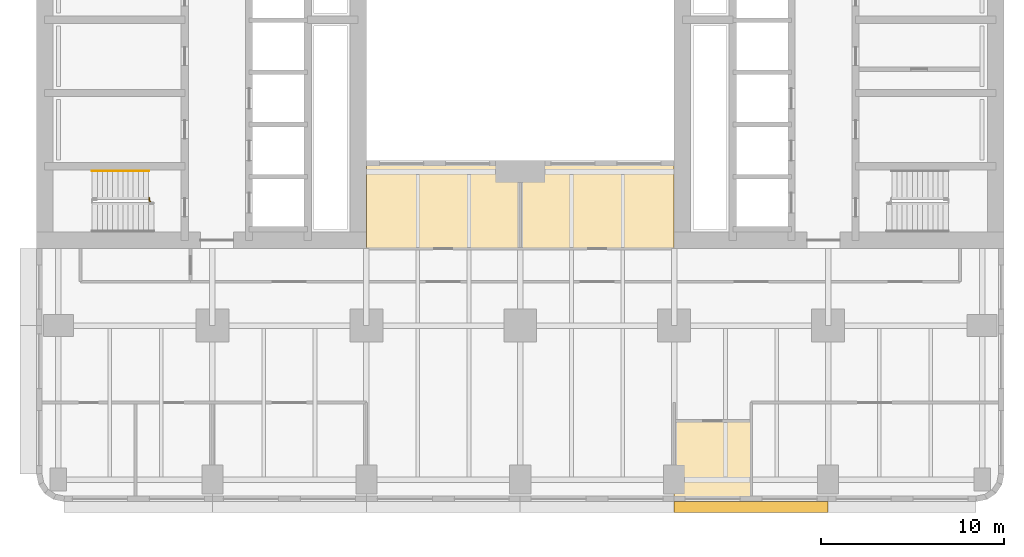
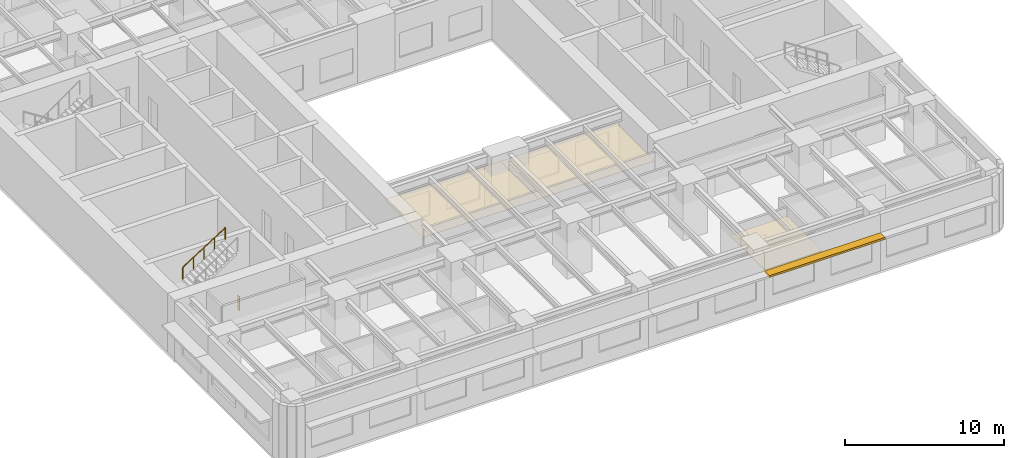
# One storey, part 10 of 14: 3 coverings, 2 railings, 1 shading device.
"""IFC4 building model written with IfcOpenShell, lengths in metres."""

from ifc_helpers import new_model, si_unit, direction, frame, origin, origin_2d, place, context, subcontext, project, spatial, polyline, rectangle, circle, outline, extrude, material, layer, layer_set, type_object, element, save


model = new_model("IFC4")

# Units and contexts
model_context = context("Model", 3, precision=1e-05, world=origin(), true_north=direction((0.0, 1.0)))
body_context = subcontext(model_context, "Body", "Model", "MODEL_VIEW")
ifc_project = project(units=[si_unit("LENGTHUNIT", "METRE"), si_unit("AREAUNIT", "SQUARE_METRE"), si_unit("VOLUMEUNIT", "CUBIC_METRE"), si_unit("PLANEANGLEUNIT", "RADIAN"), si_unit("MASSUNIT", "GRAM", prefix="KILO")], contexts=[model_context])

# Site, building, storey
site_placement = place(None, origin())
site = spatial("IfcSite", under=ifc_project, at=site_placement, CompositionType="ELEMENT")
building_placement = place(site_placement, origin())
building = spatial("IfcBuilding", under=site, at=building_placement, Name="Claustro Exchange Tower", CompositionType="ELEMENT")
storey_placement = place(building_placement, frame((0.0, 0.0, 27.89990234375)))
storey = spatial("IfcBuildingStorey", under=building, at=storey_placement, Name="L06", CompositionType="ELEMENT", Elevation=27.89990234375)

# Coverings
ifc_material_1 = material(Name="Gypsum board ceiling", Category="gypsum board")
ifc_layer_1 = layer(ifc_material_1, 0.02490234375)
ifc_layer_set_1 = layer_set([ifc_layer_1], Name="Gypsum board ceiling")
covering_type = type_object("IfcCoveringType", Name="CL2 plasterboard ceiling", PredefinedType="CEILING", material=ifc_layer_set_1)
covering_1_placement = place(storey_placement, frame((0.0, 0.0, 3.0)))
element("IfcCovering", 1, at=covering_1_placement, inside=storey, type_object=covering_type, Name="Ceiling CL2 L06-01", PredefinedType="CEILING", context=body_context, shape_type="SweptSolid", body=[
    extrude(outline(polyline([(33.60009765625, -1.199951171875), (37.800048828125, -1.199951171875), (37.800048828125, 3.199951171875), (33.60009765625, 3.199951171875), (33.60009765625, -1.199951171875)])), origin(), (0.0, 0.0, 1.0), 0.025146484375),
])
covering_2_placement = place(storey_placement, frame((0.0, 0.0, 3.0)))
element("IfcCovering", 2, at=covering_2_placement, inside=storey, type_object=covering_type, Name="Ceiling CL2 L06-09", PredefinedType="CEILING", context=body_context, shape_type="SweptSolid", body=[
    extrude(outline(polyline([(16.800048828125, 17.39990234375), (16.800048828125, 12.60009765625), (25.199951171875, 12.60009765625), (25.199951171875, 17.39990234375), (16.800048828125, 17.39990234375)])), origin(), (0.0, 0.0, 1.0), 0.025146484375),
])
covering_3_placement = place(storey_placement, frame((0.0, 0.0, 3.0)))
element("IfcCovering", 3, at=covering_3_placement, inside=storey, type_object=covering_type, Name="Ceiling CL2 L06-10", PredefinedType="CEILING", context=body_context, shape_type="SweptSolid", body=[
    extrude(outline(polyline([(33.60009765625, 17.39990234375), (25.199951171875, 17.39990234375), (25.199951171875, 12.60009765625), (33.60009765625, 12.60009765625), (33.60009765625, 17.39990234375)])), origin(), (0.0, 0.0, 1.0), 0.025146484375),
])

# Railings
ifc_material_2 = material(Name="Steel balustrade, painted", Category="steel")
railing_type_1 = type_object("IfcRailingType", Name="GR2 1100 steel stair guard", PredefinedType="GUARDRAIL", material=ifc_material_2)
railing_1_placement = place(storey_placement, frame((5.0, 15.169921875, 0.0)))
element("IfcRailing", 4, at=railing_1_placement, inside=storey, type_object=railing_type_1, Name="Stair guard GR2 STWA L06", PredefinedType="GUARDRAIL", context=body_context, shape_type="SweptSolid", body=[
    extrude(circle(Radius=0.02392578125, at=origin_2d()), frame((0.0, 0.0, 1.076171875), z_axis=(0.0, 1.0, 0.0), x_axis=(-1.0, 0.0, 0.0)), (0.0, 0.0, 1.0), 0.030029296875),
    extrude(circle(Radius=0.02392578125, at=origin_2d()), frame((0.0, 0.030029296875, 1.076171875), z_axis=(-1.0, 0.0, 0.0), x_axis=(0.0, -1.0, 0.0)), (0.0, 0.0, 1.0), 0.054931640625),
    extrude(circle(Radius=0.02392578125, at=origin_2d()), frame((-0.054931640625, 0.030029296875, 1.076171875), z_axis=(0.0, 1.0, 0.0), x_axis=(-1.0, 0.0, 0.0)), (0.0, 0.0, 1.0), 0.179931640625),
    extrude(circle(Radius=0.02099609375, at=origin_2d()), origin(), (0.0, 0.0, 1.0), 1.052001953125),
    extrude(circle(Radius=0.02099609375, at=origin_2d()), frame((0.0, 0.030029296875, 0.0)), (0.0, 0.0, 1.0), 1.052001953125),
    extrude(circle(Radius=0.02099609375, at=origin_2d()), frame((-0.054931640625, 0.030029296875, 0.0)), (0.0, 0.0, 1.0), 1.052001953125),
    extrude(circle(Radius=0.02099609375, at=origin_2d()), frame((-0.054931640625, 0.2099609375, 0.0)), (0.0, 0.0, 1.0), 1.052001953125),
])
ifc_material_3 = material(Name="Stainless steel tube", Category="steel")
railing_type_2 = type_object("IfcRailingType", Name="HR1 900 stair handrail", PredefinedType="HANDRAIL", material=ifc_material_3)
railing_2_placement = place(storey_placement, frame((1.840087890625, 16.840087890625, 2.52001953125)))
element("IfcRailing", 5, at=railing_2_placement, inside=storey, type_object=railing_type_2, Name="Handrail HR1 stair STWA L06", PredefinedType="HANDRAIL", context=body_context, shape_type="SweptSolid", body=[
    extrude(circle(Radius=0.02392578125, at=origin_2d()), frame((0.0, 0.0, 0.8759765625), z_axis=(0.841167642724, 0.0, 0.540774441735), x_axis=(0.0, 1.0, 0.0)), (0.0, 0.0, 1.0), 3.661376953125),
    extrude(circle(Radius=0.02099609375, at=origin_2d()), origin(), (0.0, 0.0, 1.0), 0.851806640625),
    extrude(circle(Radius=0.02099609375, at=origin_2d()), frame((0.77001953125, 0.0, 0.4951171875)), (0.0, 0.0, 1.0), 0.851806640625),
    extrude(circle(Radius=0.02099609375, at=origin_2d()), frame((1.5400390625, 0.0, 0.989990234375)), (0.0, 0.0, 1.0), 0.851806640625),
    extrude(circle(Radius=0.02099609375, at=origin_2d()), frame((2.309814453125, 0.0, 1.48486328125)), (0.0, 0.0, 1.0), 0.851806640625),
    extrude(circle(Radius=0.02099609375, at=origin_2d()), frame((3.079833984375, 0.0, 1.97998046875)), (0.0, 0.0, 1.0), 0.851806640625),
])

# Shading device
ifc_material_4 = material(Name="Concrete HA-40 (C40/50), precast, white cement, acid-etched", Category="concrete")
ifc_layer_2 = layer(ifc_material_4, 0.14990234375)
ifc_layer_set_2 = layer_set([ifc_layer_2], Name="Concrete HA-40 (C40/50), precast, white cement, acid-etched")
shading_device_type = type_object("IfcShadingDeviceType", Name="SS1 600 precast concrete SUNSHADE", PredefinedType="SHUTTER", material=ifc_layer_set_2)
shading_device_placement = place(storey_placement, frame((37.800048828125, -1.5, 2.800048828125), z_axis=(0.0, 0.0, 1.0), x_axis=(-1.0, 0.0, 0.0)))
element("IfcShadingDevice", 6, at=shading_device_placement, inside=storey, type_object=shading_device_type, Name="Precast SUNSHADE SS1 L06", PredefinedType="SHUTTER", context=body_context, shape_type="SweptSolid", body=[
    extrude(rectangle(XDim=8.39990234375, YDim=0.60009765625, at=origin_2d()), origin(), (0.0, 0.0, 1.0), 0.14990234375),
])

save(model, "model.ifc")
